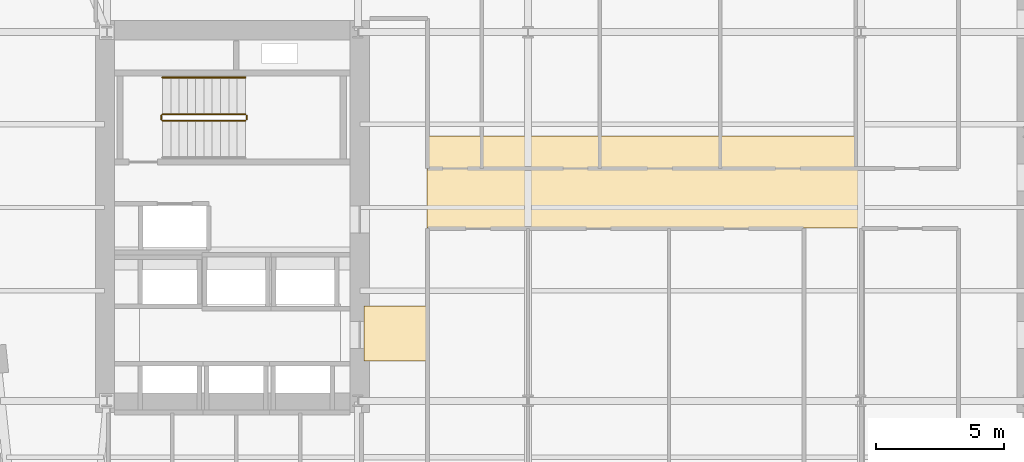
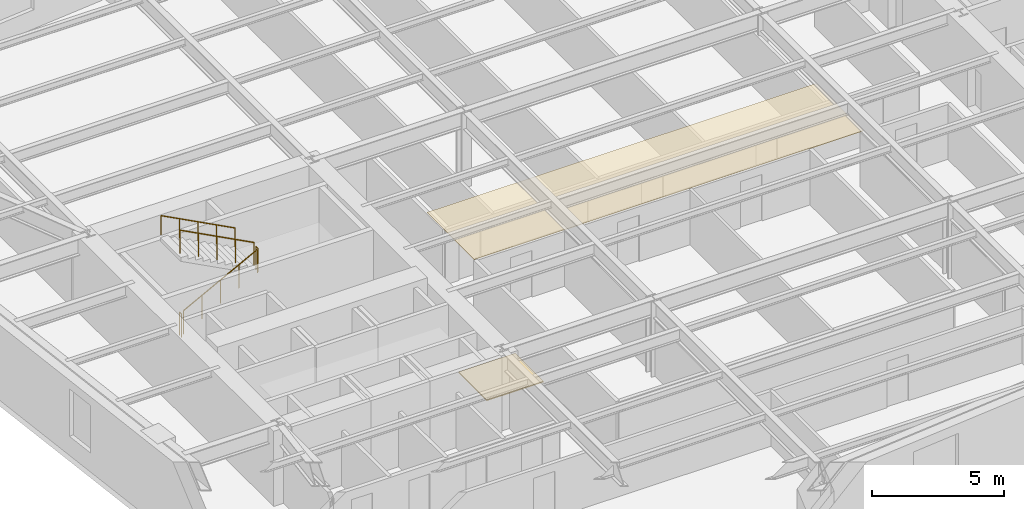
# One storey, part 10 of 15: 5 railings, 2 coverings.
"""IFC4 building model written with IfcOpenShell, lengths in metres."""

from ifc_helpers import new_model, si_unit, direction, frame, origin, origin_2d, place, context, subcontext, project, spatial, polyline, circle, outline, extrude, material, layer, layer_set, type_object, element, save


model = new_model("IFC4")

# Units and contexts
model_context = context("Model", 3, precision=1e-05, world=origin(), true_north=direction((0.0, 1.0)))
body_context = subcontext(model_context, "Body", "Model", "MODEL_VIEW")
ifc_project = project(units=[si_unit("LENGTHUNIT", "METRE"), si_unit("AREAUNIT", "SQUARE_METRE"), si_unit("VOLUMEUNIT", "CUBIC_METRE"), si_unit("PLANEANGLEUNIT", "RADIAN"), si_unit("MASSUNIT", "GRAM", prefix="KILO")], contexts=[model_context])

# Site, building, storey
site_placement = place(None, origin())
site = spatial("IfcSite", under=ifc_project, at=site_placement, CompositionType="ELEMENT")
building_placement = place(site_placement, origin())
building = spatial("IfcBuilding", under=site, at=building_placement, Name="Kolvaren Arena Tower", CompositionType="ELEMENT")
storey_placement = place(building_placement, frame((0.0, 0.0, 118.449951171875)))
storey = spatial("IfcBuildingStorey", under=building, at=storey_placement, Name="L27", CompositionType="ELEMENT", Elevation=118.449951171875)

# Coverings
ifc_material_1 = material(Name="Mineral fibre acoustic ceiling tile", Category="gypsum")
ifc_layer_1 = layer(ifc_material_1, 0.02490234375)
ifc_layer_set_1 = layer_set([ifc_layer_1], Name="Mineral fibre acoustic ceiling tile")
covering_type_1 = type_object("IfcCoveringType", Name="CEIL-ACT-1", PredefinedType="CEILING", material=ifc_layer_set_1)
covering_1_placement = place(storey_placement, frame((0.0, 0.0, 2.52001953125)))
element("IfcCovering", 1, at=covering_1_placement, inside=storey, type_object=covering_type_1, Name="Suspended Ceiling (L27)", PredefinedType="CEILING", context=body_context, shape_type="SweptSolid", body=[
    extrude(outline(polyline([(27.050048828125, 26.199951171875), (27.050048828125, 29.800048828125), (44.10009765625, 29.800048828125), (44.10009765625, 26.199951171875), (27.050048828125, 26.199951171875)])), origin(), (0.0, 0.0, 1.0), 0.025146484375),
])
ifc_material_2 = material(Name="Raised access office floor finish", Category="aluminium")
ifc_layer_2 = layer(ifc_material_2, 0.044921875)
ifc_layer_set_2 = layer_set([ifc_layer_2], Name="Raised access office floor finish")
covering_type_2 = type_object("IfcCoveringType", Name="FLOR-RAF-1", PredefinedType="FLOORING", material=ifc_layer_set_2)
covering_2_placement = place(storey_placement, origin())
element("IfcCovering", 2, at=covering_2_placement, inside=storey, type_object=covering_type_2, Name="Floor Finish (L27)", PredefinedType="FLOORING", context=body_context, shape_type="SweptSolid", body=[
    extrude(outline(polyline([(24.60009765625, 21.0), (24.60009765625, 23.14990234375), (27.080078125, 23.14990234375), (27.080078125, 21.0), (24.60009765625, 21.0)])), origin(), (0.0, 0.0, 1.0), 0.045166015625),
])

# Railings
ifc_material_3 = material(Name="Painted galvanized steel", Category="steel")
railing_type_1 = type_object("IfcRailingType", Name="GUARD-ST-110", PredefinedType="GUARDRAIL", material=ifc_material_3)
railing_1_placement = place(storey_placement, frame((16.719970703125, 30.389892578125, 0.17041015625)))
element("IfcRailing", 3, at=railing_1_placement, inside=storey, type_object=railing_type_1, Name="L27 ST-W1 stair guard 1", PredefinedType="GUARDRAIL", context=body_context, shape_type="SweptSolid", body=[
    extrude(circle(Radius=0.02392578125, at=origin_2d()), frame((0.0, 0.0, 1.076171875), z_axis=(0.884993431791, 0.0, 0.465603506952), x_axis=(0.0, 1.0, 0.0)), (0.0, 0.0, 1.0), 3.6611328125),
    extrude(circle(Radius=0.02099609375, at=origin_2d()), origin(), (0.0, 0.0, 1.0), 1.052001953125),
    extrude(circle(Radius=0.02099609375, at=origin_2d()), frame((0.81005859375, 0.0, 0.42626953125)), (0.0, 0.0, 1.0), 1.052001953125),
    extrude(circle(Radius=0.02099609375, at=origin_2d()), frame((1.6201171875, 0.0, 0.852294921875)), (0.0, 0.0, 1.0), 1.052001953125),
    extrude(circle(Radius=0.02099609375, at=origin_2d()), frame((2.429931640625, 0.0, 1.2783203125)), (0.0, 0.0, 1.0), 1.052001953125),
    extrude(circle(Radius=0.02099609375, at=origin_2d()), frame((3.239990234375, 0.0, 1.70458984375)), (0.0, 0.0, 1.0), 1.052001953125),
])
railing_2_placement = place(storey_placement, frame((20.010009765625, 30.43994140625, 1.875)))
element("IfcRailing", 4, at=railing_2_placement, inside=storey, type_object=railing_type_1, Name="L27 ST-W1 stair guard 2", PredefinedType="GUARDRAIL", context=body_context, shape_type="SweptSolid", body=[
    extrude(circle(Radius=0.02392578125, at=origin_2d()), frame((0.0, 0.0, 1.076171875), z_axis=(0.0, 1.0, 0.0), x_axis=(-1.0, 0.0, 0.0)), (0.0, 0.0, 1.0), 0.150146484375),
    extrude(circle(Radius=0.02099609375, at=origin_2d()), origin(), (0.0, 0.0, 1.0), 1.052001953125),
    extrude(circle(Radius=0.02099609375, at=origin_2d()), frame((0.0, 0.150146484375, 0.0)), (0.0, 0.0, 1.0), 1.052001953125),
])
railing_3_placement = place(storey_placement, frame((19.9599609375, 30.639892578125, 2.04541015625)))
element("IfcRailing", 5, at=railing_3_placement, inside=storey, type_object=railing_type_1, Name="L27 ST-W1 stair guard 3", PredefinedType="GUARDRAIL", context=body_context, shape_type="SweptSolid", body=[
    extrude(circle(Radius=0.02392578125, at=origin_2d()), frame((0.0, 0.0, 1.076171875), z_axis=(-0.884993431791, 0.0, 0.465603506952), x_axis=(0.0, -1.0, 0.0)), (0.0, 0.0, 1.0), 3.6611328125),
    extrude(circle(Radius=0.02099609375, at=origin_2d()), origin(), (0.0, 0.0, 1.0), 1.052001953125),
    extrude(circle(Radius=0.02099609375, at=origin_2d()), frame((-0.81005859375, 0.0, 0.42626953125)), (0.0, 0.0, 1.0), 1.052001953125),
    extrude(circle(Radius=0.02099609375, at=origin_2d()), frame((-1.6201171875, 0.0, 0.852294921875)), (0.0, 0.0, 1.0), 1.052001953125),
    extrude(circle(Radius=0.02099609375, at=origin_2d()), frame((-2.429931640625, 0.0, 1.2783203125)), (0.0, 0.0, 1.0), 1.052001953125),
    extrude(circle(Radius=0.02099609375, at=origin_2d()), frame((-3.239990234375, 0.0, 1.70458984375)), (0.0, 0.0, 1.0), 1.052001953125),
])
railing_4_placement = place(storey_placement, frame((16.669921875, 30.43994140625, 0.0)))
element("IfcRailing", 6, at=railing_4_placement, inside=storey, type_object=railing_type_1, Name="L27 ST-W1 stair guard 4", PredefinedType="GUARDRAIL", context=body_context, shape_type="SweptSolid", body=[
    extrude(circle(Radius=0.02392578125, at=origin_2d()), frame((0.0, 0.0, 1.076171875), z_axis=(0.0, 1.0, 0.0), x_axis=(-1.0, 0.0, 0.0)), (0.0, 0.0, 1.0), 0.150146484375),
    extrude(circle(Radius=0.02099609375, at=origin_2d()), origin(), (0.0, 0.0, 1.0), 1.052001953125),
    extrude(circle(Radius=0.02099609375, at=origin_2d()), frame((0.0, 0.150146484375, 0.0)), (0.0, 0.0, 1.0), 1.052001953125),
])
ifc_material_4 = material(Name="Brushed stainless steel handrail", Category="steel")
railing_type_2 = type_object("IfcRailingType", Name="HRAIL-900", PredefinedType="HANDRAIL", material=ifc_material_4)
railing_5_placement = place(storey_placement, frame((19.9599609375, 32.080078125, 2.04541015625)))
element("IfcRailing", 7, at=railing_5_placement, inside=storey, type_object=railing_type_2, Name="L27 ST-W1 stair handrail 2", PredefinedType="HANDRAIL", context=body_context, shape_type="SweptSolid", body=[
    extrude(circle(Radius=0.02392578125, at=origin_2d()), frame((0.0, 0.0, 0.8759765625), z_axis=(-0.884993431791, 0.0, 0.465603506952), x_axis=(0.0, -1.0, 0.0)), (0.0, 0.0, 1.0), 3.6611328125),
    extrude(circle(Radius=0.02099609375, at=origin_2d()), origin(), (0.0, 0.0, 1.0), 0.851806640625),
    extrude(circle(Radius=0.02099609375, at=origin_2d()), frame((-0.81005859375, 0.0, 0.42626953125)), (0.0, 0.0, 1.0), 0.851806640625),
    extrude(circle(Radius=0.02099609375, at=origin_2d()), frame((-1.6201171875, 0.0, 0.852294921875)), (0.0, 0.0, 1.0), 0.851806640625),
    extrude(circle(Radius=0.02099609375, at=origin_2d()), frame((-2.429931640625, 0.0, 1.2783203125)), (0.0, 0.0, 1.0), 0.851806640625),
    extrude(circle(Radius=0.02099609375, at=origin_2d()), frame((-3.239990234375, 0.0, 1.70458984375)), (0.0, 0.0, 1.0), 0.851806640625),
])

save(model, "model.ifc")
